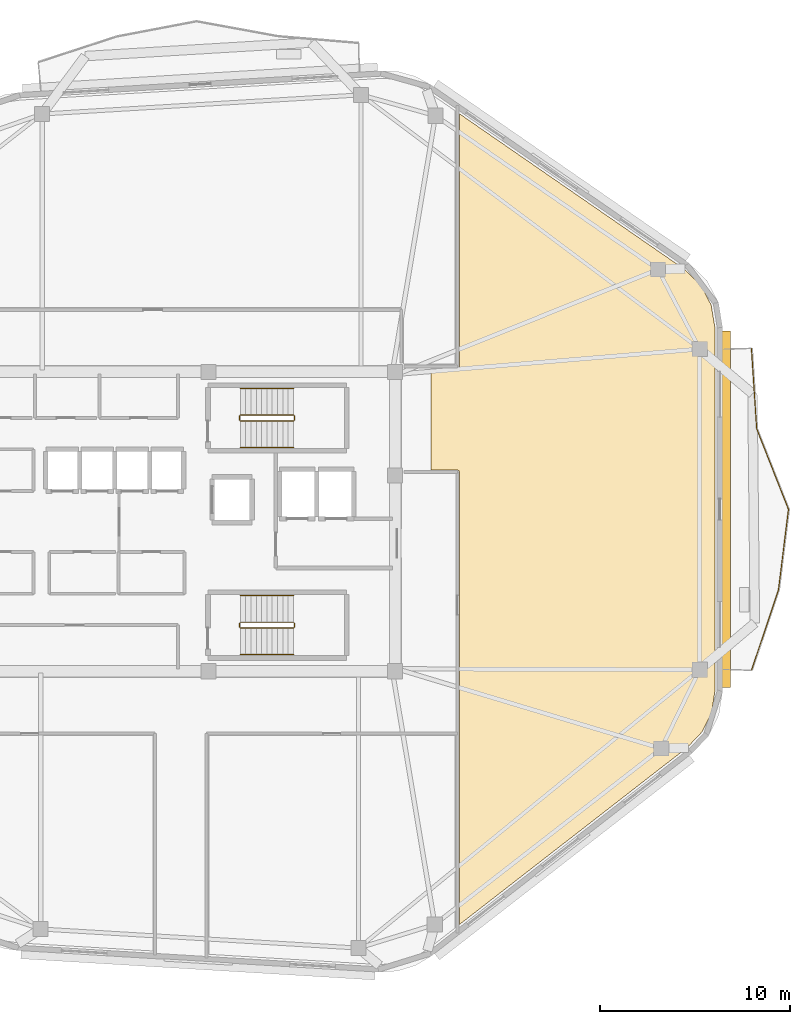
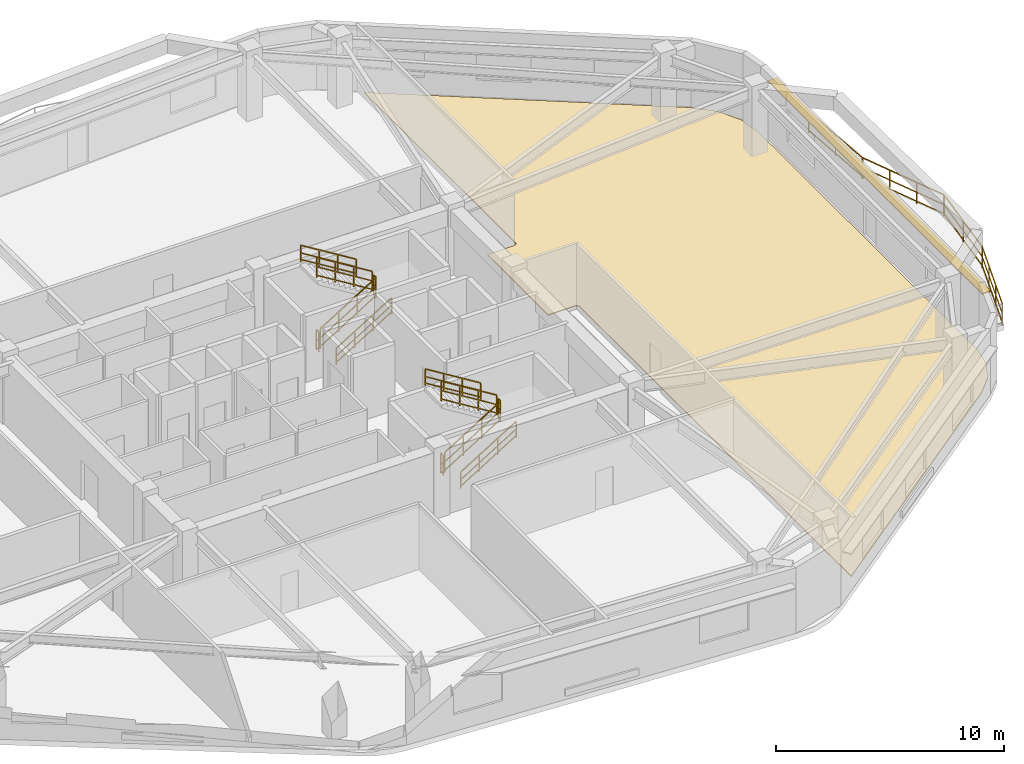
# One storey, part 8 of 9: 16 railings, 1 covering, 1 shading device.
"""IFC4 building model written with IfcOpenShell, lengths in metres."""

import ifcopenshell
import ifcopenshell.guid

model = None  # the IFC model being written
_history = None  # IfcOwnerHistory: only IFC2X3 demands one
_inside = {}  # id of a spatial element -> (the spatial element, [elements in it])
_under = {}  # id of a project, library or spatial element -> (it, [spatial elements below it])
_declared = {}  # id of a project -> (the project, [libraries it declares])
_typed = {}  # id of a type object -> (the type object, [elements of that type])
_made_of = {}  # id of a material, layer set ... -> (it, [elements and type objects made of it])


def new_model(schema):
    """Start an empty IFC model of exactly this schema.

    Asked for "IFC4X3", IfcOpenShell would pick the latest addendum, in which some entities
    have other attributes; the version numbers below select the first issue.
    IFC2X3 requires an IfcOwnerHistory on every rooted entity: one is made here for all.
    """
    global model, _history
    if schema == "IFC4X3":
        model = ifcopenshell.file(schema_version=(4, 3, 0, 0))
    else:
        model = ifcopenshell.file(schema=schema)
    _inside.clear()
    _under.clear()
    _declared.clear()
    _typed.clear()
    _made_of.clear()
    _history = None
    if model.schema == "IFC2X3":
        org = make("IfcOrganization", Name="unknown")
        user = make(
            "IfcPersonAndOrganization",
            ThePerson=make("IfcPerson", FamilyName="unknown"),
            TheOrganization=org,
        )
        app = make(
            "IfcApplication",
            ApplicationDeveloper=org,
            Version="unknown",
            ApplicationFullName="unknown",
            ApplicationIdentifier="unknown",
        )
        _history = make(
            "IfcOwnerHistory",
            OwningUser=user,
            OwningApplication=app,
            ChangeAction="ADDED",
            CreationDate=0,
        )
    return model


def make(cls, **values):
    """One entity of the class cls with the attributes given. An attribute that is None is left unset."""
    return model.create_entity(
        cls, **{name: value for name, value in values.items() if value is not None}
    )


def rooted(cls, **values):
    """An entity with a GlobalId (a new one), such as an element, a storey or a relation."""
    return make(cls, GlobalId=ifcopenshell.guid.new(), OwnerHistory=_history, **values)


def si_unit(unit_type, name, prefix=None):
    """IfcSIUnit, for example si_unit("LENGTHUNIT", "METRE", prefix="MILLI")."""
    return make("IfcSIUnit", UnitType=unit_type, Prefix=prefix, Name=name)


def assignment(units):
    """IfcUnitAssignment: the units of a project."""
    return None if units is None else make("IfcUnitAssignment", Units=units)


def point(xyz):
    """IfcCartesianPoint."""
    return None if xyz is None else make("IfcCartesianPoint", Coordinates=xyz)


def direction(xyz):
    """IfcDirection."""
    return None if xyz is None else make("IfcDirection", DirectionRatios=xyz)


def frame(location, z_axis=None, x_axis=None):
    """IfcAxis2Placement3D, a coordinate frame: its origin and axes. An axis left out is left unset."""
    return make(
        "IfcAxis2Placement3D",
        Location=point(location),
        Axis=direction(z_axis),
        RefDirection=direction(x_axis),
    )


def frame_2d(location, x_axis=None):
    """IfcAxis2Placement2D, a coordinate frame in the plane: its origin and x axis."""
    return make(
        "IfcAxis2Placement2D", Location=point(location), RefDirection=direction(x_axis)
    )


def origin():
    """The frame at (0, 0, 0) with its axes left unset."""
    return frame((0.0, 0.0, 0.0))


def origin_2d():
    """The frame at (0, 0) in the plane with its x axis left unset."""
    return frame_2d((0.0, 0.0))


def place(relative_to, where):
    """IfcLocalPlacement: puts the frame where relative to a parent placement (None: the world)."""
    return make(
        "IfcLocalPlacement", PlacementRelTo=relative_to, RelativePlacement=where
    )


def context(
    kind, dimensions, precision=None, world=None, true_north=None, identifier=None
):
    """IfcGeometricRepresentationContext, for example the 3D "Model" context."""
    return make(
        "IfcGeometricRepresentationContext",
        ContextIdentifier=identifier,
        ContextType=kind,
        CoordinateSpaceDimension=dimensions,
        Precision=precision,
        WorldCoordinateSystem=world,
        TrueNorth=true_north,
    )


def subcontext(parent, identifier, kind, view, scale=None):
    """IfcGeometricRepresentationSubContext, for example "Body" below "Model"."""
    return make(
        "IfcGeometricRepresentationSubContext",
        ContextIdentifier=identifier,
        ContextType=kind,
        ParentContext=parent,
        TargetScale=scale,
        TargetView=view,
    )


def project(units=None, contexts=None):
    """IfcProject with its units and contexts."""
    return rooted(
        "IfcProject",
        Name="project",
        RepresentationContexts=contexts,
        UnitsInContext=assignment(units),
    )


def spatial(cls, under=None, at=None, **own):
    """A site, building, storey or space (cls), placed at a placement, below another one or the project."""
    s = rooted(cls, ObjectPlacement=at, **own)
    if under is not None:
        _under.setdefault(under.id(), (under, []))[1].append(s)
    return s


def polyline(points):
    """IfcPolyline through the points."""
    return make("IfcPolyline", Points=[point(p) for p in points])


def profile(cls, at=None, kind="AREA", **sizes):
    """A parametric profile (cls). Its sizes go by their IFC names, for example OverallWidth=200.0."""
    return make(cls, ProfileType=kind, Position=at, **sizes)


def rectangle(**sizes):
    """IfcRectangleProfileDef."""
    return profile("IfcRectangleProfileDef", **sizes)


def outline(outer, holes=None, kind="AREA"):
    """IfcArbitraryClosedProfileDef: a profile drawn as a closed curve; with holes, ...WithVoids."""
    if holes is None:
        return make("IfcArbitraryClosedProfileDef", ProfileType=kind, OuterCurve=outer)
    return make(
        "IfcArbitraryProfileDefWithVoids",
        ProfileType=kind,
        OuterCurve=outer,
        InnerCurves=holes,
    )


def extrude(swept, where, along, depth):
    """IfcExtrudedAreaSolid: the profile swept, set in the frame where, extruded along a direction by depth."""
    return make(
        "IfcExtrudedAreaSolid",
        SweptArea=swept,
        Position=where,
        ExtrudedDirection=direction(along),
        Depth=depth,
    )


def shape(context_of_items, identifier, shape_type, items):
    """IfcShapeRepresentation: the items that make up one representation, for example the "Body"."""
    return make(
        "IfcShapeRepresentation",
        ContextOfItems=context_of_items,
        RepresentationIdentifier=identifier,
        RepresentationType=shape_type,
        Items=items,
    )


def material(Name=None, Category=None):
    """IfcMaterial."""
    return make("IfcMaterial", Name=Name, Category=Category)


def layer(
    of_material, thickness, ventilated=None, Name=None, Category=None, Priority=None
):
    """IfcMaterialLayer: one layer of a wall or slab, of a material (None: an air gap)."""
    return make(
        "IfcMaterialLayer",
        Material=of_material,
        LayerThickness=thickness,
        IsVentilated=ventilated,
        Name=Name,
        Category=Category,
        Priority=Priority,
    )


def layer_set(layers, Name=None):
    """IfcMaterialLayerSet."""
    return make("IfcMaterialLayerSet", MaterialLayers=layers, LayerSetName=Name)


def made_of(thing, what):
    """Note that an element or type object is made of a material, layer set ...; save() writes the relation."""
    if what is not None:
        _made_of.setdefault(what.id(), (what, []))[1].append(thing)
    return thing


def type_object(cls, material=None, **own):
    """A type object (cls), such as IfcWallType, which elements share."""
    return made_of(rooted(cls, **own), material)


def element(
    cls,
    number,
    at=None,
    inside=None,
    cuts=None,
    type_object=None,
    material=None,
    context=None,
    identifier="Body",
    shape_type=None,
    held_by="IfcProductDefinitionShape",
    body=None,
    shapes=None,
    **own,
):
    """One element of the class cls, such as IfcWall. Its Tag is "e" and its number.

    at: its placement. inside: the storey or other place that contains it. cuts: it is an
    opening in that element (IfcRelVoidsElement). A single representation is given by context,
    identifier, shape_type and body (its items); several are given by shapes. held_by: the class
    of the entity that holds the representations. save() writes the other relations.
    """
    e = rooted(cls, Tag="e%d" % number, ObjectPlacement=at, **own)
    if body is not None:
        shapes = [shape(context, identifier, shape_type, body)]
    if shapes is not None:
        e.Representation = make(held_by, Representations=shapes)
    if inside is not None:
        _inside.setdefault(inside.id(), (inside, []))[1].append(e)
    if cuts is not None:
        rooted(
            "IfcRelVoidsElement", RelatingBuildingElement=cuts, RelatedOpeningElement=e
        )
    if type_object is not None:
        _typed.setdefault(type_object.id(), (type_object, []))[1].append(e)
    return made_of(e, material)


def aggregate(whole, parts):
    """IfcRelAggregates: a whole, such as a stair, and the parts it consists of."""
    return rooted("IfcRelAggregates", RelatingObject=whole, RelatedObjects=parts)


def save(model, path):
    """Write the relations noted so far, then the file.

    IfcRelAggregates (storeys below a building ...), IfcRelContainedInSpatialStructure (elements
    in a storey), IfcRelDefinesByType, IfcRelAssociatesMaterial and IfcRelDeclares: one each for
    every whole, place, type object, material and project.
    """
    for whole, parts in _under.values():
        aggregate(whole, parts)
    for where, things in _inside.values():
        rooted(
            "IfcRelContainedInSpatialStructure",
            RelatedElements=things,
            RelatingStructure=where,
        )
    for kind, things in _typed.values():
        rooted("IfcRelDefinesByType", RelatedObjects=things, RelatingType=kind)
    for what, things in _made_of.values():
        rooted("IfcRelAssociatesMaterial", RelatedObjects=things, RelatingMaterial=what)
    for by, libraries in _declared.values():
        rooted("IfcRelDeclares", RelatingContext=by, RelatedDefinitions=libraries)
    model.write(path)


model = new_model("IFC4")

# Units and contexts
model_context = context("Model", 3, precision=1e-05, world=origin(), true_north=direction((0.0, 1.0)))
body_context = subcontext(model_context, "Body", "Model", "MODEL_VIEW")
ifc_project = project(units=[si_unit("LENGTHUNIT", "METRE"), si_unit("AREAUNIT", "SQUARE_METRE"), si_unit("VOLUMEUNIT", "CUBIC_METRE"), si_unit("PLANEANGLEUNIT", "RADIAN"), si_unit("MASSUNIT", "GRAM", prefix="KILO")], contexts=[model_context])

# Site, building, storey
site_placement = place(None, origin())
site = spatial("IfcSite", under=ifc_project, at=site_placement, CompositionType="ELEMENT")
building_placement = place(site_placement, origin())
building = spatial("IfcBuilding", under=site, at=building_placement, Name="Zulverin Broadcast Headquarters", CompositionType="ELEMENT")
storey_placement = place(building_placement, frame((0.0, 0.0, 247.800048828125)))
storey = spatial("IfcBuildingStorey", under=building, at=storey_placement, Name="L63", CompositionType="ELEMENT", Elevation=247.800048828125)

# Covering
ifc_material_1 = material(Name="Anti-static broadcast raised access flooring", Category="stone")
ifc_layer_1 = layer(ifc_material_1, 0.050048828125, Name="Anti-static broadcast raised access flooring", Category="stone")
ifc_layer_set_1 = layer_set([ifc_layer_1], Name="Anti-static broadcast raised access flooring")
covering_type = type_object("IfcCoveringType", Name="COV-FLR-RAISED", PredefinedType="FLOORING", material=ifc_layer_set_1)
covering_placement = place(storey_placement, origin())
element("IfcCovering", 1, at=covering_placement, inside=storey, type_object=covering_type, Name="L63 Broadcast Raised Access Flooring 02", PredefinedType="FLOORING", context=body_context, shape_type="SweptSolid", body=[
    extrude(outline(polyline([(51.60400390625, 33.260009765625), (51.592041015625, 33.251953125), (51.583984375, 33.248046875), (51.575927734375, 33.243896484375), (51.568115234375, 33.239990234375), (51.555908203125, 33.236083984375), (51.548095703125, 33.236083984375), (51.535888671875, 33.23193359375), (51.52392578125, 33.23193359375), (50.156005859375, 33.23193359375), (50.156005859375, 27.919921875), (51.52001953125, 27.919921875), (51.531982421875, 27.919921875), (51.5439453125, 27.916015625), (51.552001953125, 27.916015625), (51.56396484375, 27.912109375), (51.572021484375, 27.907958984375), (51.580078125, 27.904052734375), (51.587890625, 27.89990234375), (51.60009765625, 27.89208984375), (51.60791015625, 27.887939453125), (51.615966796875, 27.8798828125), (51.6240234375, 27.8720703125), (51.632080078125, 27.864013671875), (51.635986328125, 27.85595703125), (51.64794921875, 27.843994140625), (51.652099609375, 27.83203125), (51.659912109375, 27.820068359375), (51.6640625, 27.81201171875), (51.6640625, 27.800048828125), (51.66796875, 27.7919921875), (51.66796875, 27.783935546875), (51.672119140625, 27.77197265625), (51.672119140625, 27.760009765625), (51.672119140625, 4.008056640625), (63.64794921875, 13.31591796875), (64.43603515625, 14.14794921875), (64.927978515625, 15.152099609375), (65.10009765625, 16.2880859375), (65.10009765625, 35.39599609375), (64.904052734375, 36.592041015625), (64.35595703125, 37.64404296875), (63.47607421875, 38.488037109375), (51.66796875, 46.64794921875), (51.672119140625, 33.39208984375), (51.672119140625, 33.3798828125), (51.66796875, 33.367919921875), (51.66796875, 33.360107421875), (51.6640625, 33.35205078125), (51.6640625, 33.343994140625), (51.659912109375, 33.33203125), (51.656005859375, 33.323974609375), (51.652099609375, 33.31591796875), (51.64794921875, 33.30810546875), (51.639892578125, 33.2958984375), (51.635986328125, 33.2880859375), (51.6279296875, 33.280029296875), (51.6201171875, 33.27197265625), (51.612060546875, 33.263916015625), (51.60400390625, 33.260009765625)])), origin(), (0.0, 0.0, 1.0), 0.050048828125),
])

# Railings
ifc_material_2 = material(Name="Brushed stainless steel & laminated glass balustrade", Category="steel")
railing_type_1 = type_object("IfcRailingType", Name="RL-GUARD-1150", PredefinedType="GUARDRAIL", material=ifc_material_2)
railing_1_placement = place(storey_placement, frame((67.02490234375, 17.371826171875, 0.0)))
element("IfcRailing", 2, at=railing_1_placement, inside=storey, type_object=railing_type_1, Name="L63 Vertical-Forest Balcony Guardrail BAL_E Segment 02", PredefinedType="GUARDRAIL", context=body_context, shape_type="SweptSolid", body=[
    extrude(rectangle(XDim=0.048095703125, YDim=0.048095703125, at=origin_2d()), frame((0.0, 0.0, 1.1259765625), z_axis=(0.318204528211, 0.948022087415, 0.0), x_axis=(-0.948022087415, 0.318204528211, 0.0)), (0.0, 0.0, 1.0), 4.444580078125),
    extrude(rectangle(XDim=0.0419921875, YDim=0.0419921875, at=origin_2d()), frame((0.0, 0.0, 0.597900390625), z_axis=(0.318204528211, 0.948022087415, 0.0), x_axis=(-0.948022087415, 0.318204528211, 0.0)), (0.0, 0.0, 1.0), 4.444580078125),
    extrude(rectangle(XDim=0.0419921875, YDim=0.0419921875, at=origin_2d()), frame((0.0, 0.0, 0.1201171875), z_axis=(0.318204528211, 0.948022087415, 0.0), x_axis=(-0.948022087415, 0.318204528211, 0.0)), (0.0, 0.0, 1.0), 4.444580078125),
    extrude(rectangle(XDim=0.0419921875, YDim=0.0419921875, at=origin_2d()), origin(), (0.0, 0.0, 1.0), 1.101806640625),
    extrude(rectangle(XDim=0.0419921875, YDim=0.0419921875, at=origin_2d()), frame((0.471435546875, 1.404541015625, 0.0)), (0.0, 0.0, 1.0), 1.101806640625),
    extrude(rectangle(XDim=0.0419921875, YDim=0.0419921875, at=origin_2d()), frame((0.94287109375, 2.80908203125, 0.0)), (0.0, 0.0, 1.0), 1.101806640625),
    extrude(rectangle(XDim=0.0419921875, YDim=0.0419921875, at=origin_2d()), frame((1.414306640625, 4.213623046875, 0.0)), (0.0, 0.0, 1.0), 1.101806640625),
])
railing_2_placement = place(storey_placement, frame((68.44580078125, 21.614501953125, 0.0)))
element("IfcRailing", 3, at=railing_2_placement, inside=storey, type_object=railing_type_1, Name="L63 Vertical-Forest Balcony Guardrail BAL_E Segment 03", PredefinedType="GUARDRAIL", context=body_context, shape_type="SweptSolid", body=[
    extrude(rectangle(XDim=0.048095703125, YDim=0.048095703125, at=origin_2d()), frame((0.0, 0.0, 1.1259765625), z_axis=(0.123086092071, 0.992395996535, 0.0), x_axis=(-0.992395996535, 0.123086092071, 0.0)), (0.0, 0.0, 1.0), 4.24462890625),
    extrude(rectangle(XDim=0.0419921875, YDim=0.0419921875, at=origin_2d()), frame((0.0, 0.0, 0.597900390625), z_axis=(0.123086092071, 0.992395996535, 0.0), x_axis=(-0.992395996535, 0.123086092071, 0.0)), (0.0, 0.0, 1.0), 4.24462890625),
    extrude(rectangle(XDim=0.0419921875, YDim=0.0419921875, at=origin_2d()), frame((0.0, 0.0, 0.1201171875), z_axis=(0.123086092071, 0.992395996535, 0.0), x_axis=(-0.992395996535, 0.123086092071, 0.0)), (0.0, 0.0, 1.0), 4.24462890625),
    extrude(rectangle(XDim=0.0419921875, YDim=0.0419921875, at=origin_2d()), origin(), (0.0, 0.0, 1.0), 1.101806640625),
    extrude(rectangle(XDim=0.0419921875, YDim=0.0419921875, at=origin_2d()), frame((0.26123046875, 2.106201171875, 0.0)), (0.0, 0.0, 1.0), 1.101806640625),
    extrude(rectangle(XDim=0.0419921875, YDim=0.0419921875, at=origin_2d()), frame((0.5224609375, 4.21240234375, 0.0)), (0.0, 0.0, 1.0), 1.101806640625),
])
railing_3_placement = place(storey_placement, frame((68.964599609375, 25.855712890625, 0.0)))
element("IfcRailing", 4, at=railing_3_placement, inside=storey, type_object=railing_type_1, Name="L63 Vertical-Forest Balcony Guardrail BAL_E Segment 04", PredefinedType="GUARDRAIL", context=body_context, shape_type="SweptSolid", body=[
    extrude(rectangle(XDim=0.048095703125, YDim=0.048095703125, at=origin_2d()), frame((0.0, 0.0, 1.1259765625), z_axis=(-0.36683272189, 0.930286920337, 0.0), x_axis=(-0.930286920337, -0.36683272189, 0.0)), (0.0, 0.0, 1.0), 4.529541015625),
    extrude(rectangle(XDim=0.0419921875, YDim=0.0419921875, at=origin_2d()), frame((0.0, 0.0, 0.597900390625), z_axis=(-0.36683272189, 0.930286920337, 0.0), x_axis=(-0.930286920337, -0.36683272189, 0.0)), (0.0, 0.0, 1.0), 4.529541015625),
    extrude(rectangle(XDim=0.0419921875, YDim=0.0419921875, at=origin_2d()), frame((0.0, 0.0, 0.1201171875), z_axis=(-0.36683272189, 0.930286920337, 0.0), x_axis=(-0.930286920337, -0.36683272189, 0.0)), (0.0, 0.0, 1.0), 4.529541015625),
    extrude(rectangle(XDim=0.0419921875, YDim=0.0419921875, at=origin_2d()), origin(), (0.0, 0.0, 1.0), 1.101806640625),
    extrude(rectangle(XDim=0.0419921875, YDim=0.0419921875, at=origin_2d()), frame((-0.553955078125, 1.404541015625, 0.0)), (0.0, 0.0, 1.0), 1.101806640625),
    extrude(rectangle(XDim=0.0419921875, YDim=0.0419921875, at=origin_2d()), frame((-1.107666015625, 2.809326171875, 0.0)), (0.0, 0.0, 1.0), 1.101806640625),
    extrude(rectangle(XDim=0.0419921875, YDim=0.0419921875, at=origin_2d()), frame((-1.66162109375, 4.2138671875, 0.0)), (0.0, 0.0, 1.0), 1.101806640625),
])
railing_4_placement = place(storey_placement, frame((67.29638671875, 30.0986328125, 0.0)))
element("IfcRailing", 5, at=railing_4_placement, inside=storey, type_object=railing_type_1, Name="L63 Vertical-Forest Balcony Guardrail BAL_E Segment 05", PredefinedType="GUARDRAIL", context=body_context, shape_type="SweptSolid", body=[
    extrude(rectangle(XDim=0.048095703125, YDim=0.048095703125, at=origin_2d()), frame((0.0, 0.0, 1.1259765625), z_axis=(-0.065240645877, 0.997869559675, 0.0), x_axis=(-0.997869559675, -0.065240645877, 0.0)), (0.0, 0.0, 1.0), 4.22119140625),
    extrude(rectangle(XDim=0.0419921875, YDim=0.0419921875, at=origin_2d()), frame((0.0, 0.0, 0.597900390625), z_axis=(-0.065240645877, 0.997869559675, 0.0), x_axis=(-0.997869559675, -0.065240645877, 0.0)), (0.0, 0.0, 1.0), 4.22119140625),
    extrude(rectangle(XDim=0.0419921875, YDim=0.0419921875, at=origin_2d()), frame((0.0, 0.0, 0.1201171875), z_axis=(-0.065240645877, 0.997869559675, 0.0), x_axis=(-0.997869559675, -0.065240645877, 0.0)), (0.0, 0.0, 1.0), 4.22119140625),
    extrude(rectangle(XDim=0.0419921875, YDim=0.0419921875, at=origin_2d()), origin(), (0.0, 0.0, 1.0), 1.101806640625),
    extrude(rectangle(XDim=0.0419921875, YDim=0.0419921875, at=origin_2d()), frame((-0.1376953125, 2.10595703125, 0.0)), (0.0, 0.0, 1.0), 1.101806640625),
    extrude(rectangle(XDim=0.0419921875, YDim=0.0419921875, at=origin_2d()), frame((-0.275390625, 4.212158203125, 0.0)), (0.0, 0.0, 1.0), 1.101806640625),
])
ifc_material_3 = material(Name="Painted galvanized steel tubular guardrail S355JR", Category="steel")
railing_type_2 = type_object("IfcRailingType", Name="RL-ST-GUARD", PredefinedType="GUARDRAIL", material=ifc_material_3)
railing_5_placement = place(storey_placement, frame((40.1298828125, 30.5, 0.172607421875)))
element("IfcRailing", 6, at=railing_5_placement, inside=storey, type_object=railing_type_2, Name="L63 ST-1 stair guard 1", PredefinedType="GUARDRAIL", context=body_context, shape_type="SweptSolid", body=[
    extrude(rectangle(XDim=0.048095703125, YDim=0.048095703125, at=origin_2d()), frame((0.0, 0.0, 1.076171875), z_axis=(0.851089632645, 0.0, 0.525020415988), x_axis=(0.0, 1.0, 0.0)), (0.0, 0.0, 1.0), 3.2900390625),
    extrude(rectangle(XDim=0.0419921875, YDim=0.0419921875, at=origin_2d()), frame((0.0, 0.0, 0.572021484375), z_axis=(0.851089632645, 0.0, 0.525020415988), x_axis=(0.0, 1.0, 0.0)), (0.0, 0.0, 1.0), 3.2900390625),
    extrude(rectangle(XDim=0.0419921875, YDim=0.0419921875, at=origin_2d()), frame((0.0, 0.0, 0.1201171875), z_axis=(0.851089632645, 0.0, 0.525020415988), x_axis=(0.0, 1.0, 0.0)), (0.0, 0.0, 1.0), 3.2900390625),
    extrude(rectangle(XDim=0.0419921875, YDim=0.0419921875, at=origin_2d()), origin(), (0.0, 0.0, 1.0), 1.052001953125),
    extrude(rectangle(XDim=0.0419921875, YDim=0.0419921875, at=origin_2d()), frame((0.933349609375, 0.0, 0.57568359375)), (0.0, 0.0, 1.0), 1.052001953125),
    extrude(rectangle(XDim=0.0419921875, YDim=0.0419921875, at=origin_2d()), frame((1.86669921875, 0.0, 1.151611328125)), (0.0, 0.0, 1.0), 1.052001953125),
    extrude(rectangle(XDim=0.0419921875, YDim=0.0419921875, at=origin_2d()), frame((2.800048828125, 0.0, 1.727294921875)), (0.0, 0.0, 1.0), 1.052001953125),
])
railing_6_placement = place(storey_placement, frame((42.97998046875, 30.550048828125, 1.89990234375)))
element("IfcRailing", 7, at=railing_6_placement, inside=storey, type_object=railing_type_2, Name="L63 ST-1 stair guard 2", PredefinedType="GUARDRAIL", context=body_context, shape_type="SweptSolid", body=[
    extrude(rectangle(XDim=0.048095703125, YDim=0.048095703125, at=origin_2d()), frame((0.0, 0.0, 1.076171875), z_axis=(0.0, 1.0, 0.0), x_axis=(-1.0, 0.0, 0.0)), (0.0, 0.0, 1.0), 0.199951171875),
    extrude(rectangle(XDim=0.0419921875, YDim=0.0419921875, at=origin_2d()), frame((0.0, 0.0, 0.572021484375), z_axis=(0.0, 1.0, 0.0), x_axis=(-1.0, 0.0, 0.0)), (0.0, 0.0, 1.0), 0.199951171875),
    extrude(rectangle(XDim=0.0419921875, YDim=0.0419921875, at=origin_2d()), frame((0.0, 0.0, 0.1201171875), z_axis=(0.0, 1.0, 0.0), x_axis=(-1.0, 0.0, 0.0)), (0.0, 0.0, 1.0), 0.199951171875),
    extrude(rectangle(XDim=0.0419921875, YDim=0.0419921875, at=origin_2d()), origin(), (0.0, 0.0, 1.0), 1.052001953125),
    extrude(rectangle(XDim=0.0419921875, YDim=0.0419921875, at=origin_2d()), frame((0.0, 0.199951171875, 0.0)), (0.0, 0.0, 1.0), 1.052001953125),
])
railing_7_placement = place(storey_placement, frame((42.929931640625, 30.800048828125, 2.07275390625)))
element("IfcRailing", 8, at=railing_7_placement, inside=storey, type_object=railing_type_2, Name="L63 ST-1 stair guard 3", PredefinedType="GUARDRAIL", context=body_context, shape_type="SweptSolid", body=[
    extrude(rectangle(XDim=0.048095703125, YDim=0.048095703125, at=origin_2d()), frame((0.0, 0.0, 1.076171875), z_axis=(-0.851089632645, 0.0, 0.525020415988), x_axis=(0.0, -1.0, 0.0)), (0.0, 0.0, 1.0), 3.2900390625),
    extrude(rectangle(XDim=0.0419921875, YDim=0.0419921875, at=origin_2d()), frame((0.0, 0.0, 0.572021484375), z_axis=(-0.851089632645, 0.0, 0.525020415988), x_axis=(0.0, -1.0, 0.0)), (0.0, 0.0, 1.0), 3.2900390625),
    extrude(rectangle(XDim=0.0419921875, YDim=0.0419921875, at=origin_2d()), frame((0.0, 0.0, 0.1201171875), z_axis=(-0.851089632645, 0.0, 0.525020415988), x_axis=(0.0, -1.0, 0.0)), (0.0, 0.0, 1.0), 3.2900390625),
    extrude(rectangle(XDim=0.0419921875, YDim=0.0419921875, at=origin_2d()), origin(), (0.0, 0.0, 1.0), 1.052001953125),
    extrude(rectangle(XDim=0.0419921875, YDim=0.0419921875, at=origin_2d()), frame((-0.933349609375, 0.0, 0.57568359375)), (0.0, 0.0, 1.0), 1.052001953125),
    extrude(rectangle(XDim=0.0419921875, YDim=0.0419921875, at=origin_2d()), frame((-1.86669921875, 0.0, 1.151611328125)), (0.0, 0.0, 1.0), 1.052001953125),
    extrude(rectangle(XDim=0.0419921875, YDim=0.0419921875, at=origin_2d()), frame((-2.800048828125, 0.0, 1.727294921875)), (0.0, 0.0, 1.0), 1.052001953125),
])
railing_8_placement = place(storey_placement, frame((40.080078125, 30.550048828125, 0.0)))
element("IfcRailing", 9, at=railing_8_placement, inside=storey, type_object=railing_type_2, Name="L63 ST-1 stair guard 4", PredefinedType="GUARDRAIL", context=body_context, shape_type="SweptSolid", body=[
    extrude(rectangle(XDim=0.048095703125, YDim=0.048095703125, at=origin_2d()), frame((0.0, 0.0, 1.076171875), z_axis=(0.0, 1.0, 0.0), x_axis=(-1.0, 0.0, 0.0)), (0.0, 0.0, 1.0), 0.199951171875),
    extrude(rectangle(XDim=0.0419921875, YDim=0.0419921875, at=origin_2d()), frame((0.0, 0.0, 0.572021484375), z_axis=(0.0, 1.0, 0.0), x_axis=(-1.0, 0.0, 0.0)), (0.0, 0.0, 1.0), 0.199951171875),
    extrude(rectangle(XDim=0.0419921875, YDim=0.0419921875, at=origin_2d()), frame((0.0, 0.0, 0.1201171875), z_axis=(0.0, 1.0, 0.0), x_axis=(-1.0, 0.0, 0.0)), (0.0, 0.0, 1.0), 0.199951171875),
    extrude(rectangle(XDim=0.0419921875, YDim=0.0419921875, at=origin_2d()), origin(), (0.0, 0.0, 1.0), 1.052001953125),
    extrude(rectangle(XDim=0.0419921875, YDim=0.0419921875, at=origin_2d()), frame((0.0, 0.199951171875, 0.0)), (0.0, 0.0, 1.0), 1.052001953125),
])
railing_9_placement = place(storey_placement, frame((40.1298828125, 19.60009765625, 0.172607421875)))
element("IfcRailing", 10, at=railing_9_placement, inside=storey, type_object=railing_type_2, Name="L63 ST-2 stair guard 1", PredefinedType="GUARDRAIL", context=body_context, shape_type="SweptSolid", body=[
    extrude(rectangle(XDim=0.048095703125, YDim=0.048095703125, at=origin_2d()), frame((0.0, 0.0, 1.076171875), z_axis=(0.851089632645, 0.0, 0.525020415988), x_axis=(0.0, 1.0, 0.0)), (0.0, 0.0, 1.0), 3.2900390625),
    extrude(rectangle(XDim=0.0419921875, YDim=0.0419921875, at=origin_2d()), frame((0.0, 0.0, 0.572021484375), z_axis=(0.851089632645, 0.0, 0.525020415988), x_axis=(0.0, 1.0, 0.0)), (0.0, 0.0, 1.0), 3.2900390625),
    extrude(rectangle(XDim=0.0419921875, YDim=0.0419921875, at=origin_2d()), frame((0.0, 0.0, 0.1201171875), z_axis=(0.851089632645, 0.0, 0.525020415988), x_axis=(0.0, 1.0, 0.0)), (0.0, 0.0, 1.0), 3.2900390625),
    extrude(rectangle(XDim=0.0419921875, YDim=0.0419921875, at=origin_2d()), origin(), (0.0, 0.0, 1.0), 1.052001953125),
    extrude(rectangle(XDim=0.0419921875, YDim=0.0419921875, at=origin_2d()), frame((0.933349609375, 0.0, 0.57568359375)), (0.0, 0.0, 1.0), 1.052001953125),
    extrude(rectangle(XDim=0.0419921875, YDim=0.0419921875, at=origin_2d()), frame((1.86669921875, 0.0, 1.151611328125)), (0.0, 0.0, 1.0), 1.052001953125),
    extrude(rectangle(XDim=0.0419921875, YDim=0.0419921875, at=origin_2d()), frame((2.800048828125, 0.0, 1.727294921875)), (0.0, 0.0, 1.0), 1.052001953125),
])
railing_10_placement = place(storey_placement, frame((42.97998046875, 19.64990234375, 1.89990234375)))
element("IfcRailing", 11, at=railing_10_placement, inside=storey, type_object=railing_type_2, Name="L63 ST-2 stair guard 2", PredefinedType="GUARDRAIL", context=body_context, shape_type="SweptSolid", body=[
    extrude(rectangle(XDim=0.048095703125, YDim=0.048095703125, at=origin_2d()), frame((0.0, 0.0, 1.076171875), z_axis=(0.0, 1.0, 0.0), x_axis=(-1.0, 0.0, 0.0)), (0.0, 0.0, 1.0), 0.2001953125),
    extrude(rectangle(XDim=0.0419921875, YDim=0.0419921875, at=origin_2d()), frame((0.0, 0.0, 0.572021484375), z_axis=(0.0, 1.0, 0.0), x_axis=(-1.0, 0.0, 0.0)), (0.0, 0.0, 1.0), 0.2001953125),
    extrude(rectangle(XDim=0.0419921875, YDim=0.0419921875, at=origin_2d()), frame((0.0, 0.0, 0.1201171875), z_axis=(0.0, 1.0, 0.0), x_axis=(-1.0, 0.0, 0.0)), (0.0, 0.0, 1.0), 0.2001953125),
    extrude(rectangle(XDim=0.0419921875, YDim=0.0419921875, at=origin_2d()), origin(), (0.0, 0.0, 1.0), 1.052001953125),
    extrude(rectangle(XDim=0.0419921875, YDim=0.0419921875, at=origin_2d()), frame((0.0, 0.2001953125, 0.0)), (0.0, 0.0, 1.0), 1.052001953125),
])
railing_11_placement = place(storey_placement, frame((42.929931640625, 19.89990234375, 2.07275390625)))
element("IfcRailing", 12, at=railing_11_placement, inside=storey, type_object=railing_type_2, Name="L63 ST-2 stair guard 3", PredefinedType="GUARDRAIL", context=body_context, shape_type="SweptSolid", body=[
    extrude(rectangle(XDim=0.048095703125, YDim=0.048095703125, at=origin_2d()), frame((0.0, 0.0, 1.076171875), z_axis=(-0.851089632645, 0.0, 0.525020415988), x_axis=(0.0, -1.0, 0.0)), (0.0, 0.0, 1.0), 3.2900390625),
    extrude(rectangle(XDim=0.0419921875, YDim=0.0419921875, at=origin_2d()), frame((0.0, 0.0, 0.572021484375), z_axis=(-0.851089632645, 0.0, 0.525020415988), x_axis=(0.0, -1.0, 0.0)), (0.0, 0.0, 1.0), 3.2900390625),
    extrude(rectangle(XDim=0.0419921875, YDim=0.0419921875, at=origin_2d()), frame((0.0, 0.0, 0.1201171875), z_axis=(-0.851089632645, 0.0, 0.525020415988), x_axis=(0.0, -1.0, 0.0)), (0.0, 0.0, 1.0), 3.2900390625),
    extrude(rectangle(XDim=0.0419921875, YDim=0.0419921875, at=origin_2d()), origin(), (0.0, 0.0, 1.0), 1.052001953125),
    extrude(rectangle(XDim=0.0419921875, YDim=0.0419921875, at=origin_2d()), frame((-0.933349609375, 0.0, 0.57568359375)), (0.0, 0.0, 1.0), 1.052001953125),
    extrude(rectangle(XDim=0.0419921875, YDim=0.0419921875, at=origin_2d()), frame((-1.86669921875, 0.0, 1.151611328125)), (0.0, 0.0, 1.0), 1.052001953125),
    extrude(rectangle(XDim=0.0419921875, YDim=0.0419921875, at=origin_2d()), frame((-2.800048828125, 0.0, 1.727294921875)), (0.0, 0.0, 1.0), 1.052001953125),
])
railing_12_placement = place(storey_placement, frame((40.080078125, 19.64990234375, 0.0)))
element("IfcRailing", 13, at=railing_12_placement, inside=storey, type_object=railing_type_2, Name="L63 ST-2 stair guard 4", PredefinedType="GUARDRAIL", context=body_context, shape_type="SweptSolid", body=[
    extrude(rectangle(XDim=0.048095703125, YDim=0.048095703125, at=origin_2d()), frame((0.0, 0.0, 1.076171875), z_axis=(0.0, 1.0, 0.0), x_axis=(-1.0, 0.0, 0.0)), (0.0, 0.0, 1.0), 0.2001953125),
    extrude(rectangle(XDim=0.0419921875, YDim=0.0419921875, at=origin_2d()), frame((0.0, 0.0, 0.572021484375), z_axis=(0.0, 1.0, 0.0), x_axis=(-1.0, 0.0, 0.0)), (0.0, 0.0, 1.0), 0.2001953125),
    extrude(rectangle(XDim=0.0419921875, YDim=0.0419921875, at=origin_2d()), frame((0.0, 0.0, 0.1201171875), z_axis=(0.0, 1.0, 0.0), x_axis=(-1.0, 0.0, 0.0)), (0.0, 0.0, 1.0), 0.2001953125),
    extrude(rectangle(XDim=0.0419921875, YDim=0.0419921875, at=origin_2d()), origin(), (0.0, 0.0, 1.0), 1.052001953125),
    extrude(rectangle(XDim=0.0419921875, YDim=0.0419921875, at=origin_2d()), frame((0.0, 0.2001953125, 0.0)), (0.0, 0.0, 1.0), 1.052001953125),
])
ifc_material_4 = material(Name="Brushed stainless steel 48 mm handrail", Category="steel")
railing_type_3 = type_object("IfcRailingType", Name="RL-ST-HAND", PredefinedType="HANDRAIL", material=ifc_material_4)
railing_13_placement = place(storey_placement, frame((40.1298828125, 29.10009765625, 0.172607421875)))
element("IfcRailing", 14, at=railing_13_placement, inside=storey, type_object=railing_type_3, Name="L63 ST-1 stair handrail 1", PredefinedType="HANDRAIL", context=body_context, shape_type="SweptSolid", body=[
    extrude(rectangle(XDim=0.048095703125, YDim=0.048095703125, at=origin_2d()), frame((0.0, 0.0, 0.8759765625), z_axis=(0.851089632645, 0.0, 0.525020415988), x_axis=(0.0, 1.0, 0.0)), (0.0, 0.0, 1.0), 3.2900390625),
    extrude(rectangle(XDim=0.0419921875, YDim=0.0419921875, at=origin_2d()), frame((0.0, 0.0, 0.468017578125), z_axis=(0.851089632645, 0.0, 0.525020415988), x_axis=(0.0, 1.0, 0.0)), (0.0, 0.0, 1.0), 3.2900390625),
    extrude(rectangle(XDim=0.0419921875, YDim=0.0419921875, at=origin_2d()), frame((0.0, 0.0, 0.1201171875), z_axis=(0.851089632645, 0.0, 0.525020415988), x_axis=(0.0, 1.0, 0.0)), (0.0, 0.0, 1.0), 3.2900390625),
    extrude(rectangle(XDim=0.0419921875, YDim=0.0419921875, at=origin_2d()), origin(), (0.0, 0.0, 1.0), 0.851806640625),
    extrude(rectangle(XDim=0.0419921875, YDim=0.0419921875, at=origin_2d()), frame((0.933349609375, 0.0, 0.57568359375)), (0.0, 0.0, 1.0), 0.851806640625),
    extrude(rectangle(XDim=0.0419921875, YDim=0.0419921875, at=origin_2d()), frame((1.86669921875, 0.0, 1.151611328125)), (0.0, 0.0, 1.0), 0.851806640625),
    extrude(rectangle(XDim=0.0419921875, YDim=0.0419921875, at=origin_2d()), frame((2.800048828125, 0.0, 1.727294921875)), (0.0, 0.0, 1.0), 0.851806640625),
])
railing_14_placement = place(storey_placement, frame((42.929931640625, 32.199951171875, 2.07275390625)))
element("IfcRailing", 15, at=railing_14_placement, inside=storey, type_object=railing_type_3, Name="L63 ST-1 stair handrail 2", PredefinedType="HANDRAIL", context=body_context, shape_type="SweptSolid", body=[
    extrude(rectangle(XDim=0.048095703125, YDim=0.048095703125, at=origin_2d()), frame((0.0, 0.0, 0.8759765625), z_axis=(-0.851089632645, 0.0, 0.525020415988), x_axis=(0.0, -1.0, 0.0)), (0.0, 0.0, 1.0), 3.2900390625),
    extrude(rectangle(XDim=0.0419921875, YDim=0.0419921875, at=origin_2d()), frame((0.0, 0.0, 0.468017578125), z_axis=(-0.851089632645, 0.0, 0.525020415988), x_axis=(0.0, -1.0, 0.0)), (0.0, 0.0, 1.0), 3.2900390625),
    extrude(rectangle(XDim=0.0419921875, YDim=0.0419921875, at=origin_2d()), frame((0.0, 0.0, 0.1201171875), z_axis=(-0.851089632645, 0.0, 0.525020415988), x_axis=(0.0, -1.0, 0.0)), (0.0, 0.0, 1.0), 3.2900390625),
    extrude(rectangle(XDim=0.0419921875, YDim=0.0419921875, at=origin_2d()), origin(), (0.0, 0.0, 1.0), 0.851806640625),
    extrude(rectangle(XDim=0.0419921875, YDim=0.0419921875, at=origin_2d()), frame((-0.933349609375, 0.0, 0.57568359375)), (0.0, 0.0, 1.0), 0.851806640625),
    extrude(rectangle(XDim=0.0419921875, YDim=0.0419921875, at=origin_2d()), frame((-1.86669921875, 0.0, 1.151611328125)), (0.0, 0.0, 1.0), 0.851806640625),
    extrude(rectangle(XDim=0.0419921875, YDim=0.0419921875, at=origin_2d()), frame((-2.800048828125, 0.0, 1.727294921875)), (0.0, 0.0, 1.0), 0.851806640625),
])
railing_15_placement = place(storey_placement, frame((40.1298828125, 18.199951171875, 0.172607421875)))
element("IfcRailing", 16, at=railing_15_placement, inside=storey, type_object=railing_type_3, Name="L63 ST-2 stair handrail 1", PredefinedType="HANDRAIL", context=body_context, shape_type="SweptSolid", body=[
    extrude(rectangle(XDim=0.048095703125, YDim=0.048095703125, at=origin_2d()), frame((0.0, 0.0, 0.8759765625), z_axis=(0.851089632645, 0.0, 0.525020415988), x_axis=(0.0, 1.0, 0.0)), (0.0, 0.0, 1.0), 3.2900390625),
    extrude(rectangle(XDim=0.0419921875, YDim=0.0419921875, at=origin_2d()), frame((0.0, 0.0, 0.468017578125), z_axis=(0.851089632645, 0.0, 0.525020415988), x_axis=(0.0, 1.0, 0.0)), (0.0, 0.0, 1.0), 3.2900390625),
    extrude(rectangle(XDim=0.0419921875, YDim=0.0419921875, at=origin_2d()), frame((0.0, 0.0, 0.1201171875), z_axis=(0.851089632645, 0.0, 0.525020415988), x_axis=(0.0, 1.0, 0.0)), (0.0, 0.0, 1.0), 3.2900390625),
    extrude(rectangle(XDim=0.0419921875, YDim=0.0419921875, at=origin_2d()), origin(), (0.0, 0.0, 1.0), 0.851806640625),
    extrude(rectangle(XDim=0.0419921875, YDim=0.0419921875, at=origin_2d()), frame((0.933349609375, 0.0, 0.57568359375)), (0.0, 0.0, 1.0), 0.851806640625),
    extrude(rectangle(XDim=0.0419921875, YDim=0.0419921875, at=origin_2d()), frame((1.86669921875, 0.0, 1.151611328125)), (0.0, 0.0, 1.0), 0.851806640625),
    extrude(rectangle(XDim=0.0419921875, YDim=0.0419921875, at=origin_2d()), frame((2.800048828125, 0.0, 1.727294921875)), (0.0, 0.0, 1.0), 0.851806640625),
])
railing_16_placement = place(storey_placement, frame((42.929931640625, 21.300048828125, 2.07275390625)))
element("IfcRailing", 17, at=railing_16_placement, inside=storey, type_object=railing_type_3, Name="L63 ST-2 stair handrail 2", PredefinedType="HANDRAIL", context=body_context, shape_type="SweptSolid", body=[
    extrude(rectangle(XDim=0.048095703125, YDim=0.048095703125, at=origin_2d()), frame((0.0, 0.0, 0.8759765625), z_axis=(-0.851089632645, 0.0, 0.525020415988), x_axis=(0.0, -1.0, 0.0)), (0.0, 0.0, 1.0), 3.2900390625),
    extrude(rectangle(XDim=0.0419921875, YDim=0.0419921875, at=origin_2d()), frame((0.0, 0.0, 0.468017578125), z_axis=(-0.851089632645, 0.0, 0.525020415988), x_axis=(0.0, -1.0, 0.0)), (0.0, 0.0, 1.0), 3.2900390625),
    extrude(rectangle(XDim=0.0419921875, YDim=0.0419921875, at=origin_2d()), frame((0.0, 0.0, 0.1201171875), z_axis=(-0.851089632645, 0.0, 0.525020415988), x_axis=(0.0, -1.0, 0.0)), (0.0, 0.0, 1.0), 3.2900390625),
    extrude(rectangle(XDim=0.0419921875, YDim=0.0419921875, at=origin_2d()), origin(), (0.0, 0.0, 1.0), 0.851806640625),
    extrude(rectangle(XDim=0.0419921875, YDim=0.0419921875, at=origin_2d()), frame((-0.933349609375, 0.0, 0.57568359375)), (0.0, 0.0, 1.0), 0.851806640625),
    extrude(rectangle(XDim=0.0419921875, YDim=0.0419921875, at=origin_2d()), frame((-1.86669921875, 0.0, 1.151611328125)), (0.0, 0.0, 1.0), 0.851806640625),
    extrude(rectangle(XDim=0.0419921875, YDim=0.0419921875, at=origin_2d()), frame((-2.800048828125, 0.0, 1.727294921875)), (0.0, 0.0, 1.0), 0.851806640625),
])

# Shading device
ifc_material_5 = material(Name="Anodized pale-metal aluminium sunshade", Category="aluminium")
ifc_layer_2 = layer(ifc_material_5, 0.06005859375, Name="Anodized pale-metal aluminium sunshade", Category="aluminium")
ifc_layer_set_2 = layer_set([ifc_layer_2], Name="Anodized pale-metal aluminium sunshade")
shading_device_type = type_object("IfcShadingDeviceType", Name="SS-01_PALE_METAL_ALUMINIUM_SUNSHADE", PredefinedType="USERDEFINED", material=ifc_layer_set_2)
shading_device_placement = place(storey_placement, frame((65.699951171875, 25.841796875, 2.7099609375), z_axis=(0.0, 0.0, 1.0), x_axis=(0.0, 1.0, 0.0)))
element("IfcShadingDevice", 18, at=shading_device_placement, inside=storey, type_object=shading_device_type, Name="L63 Horizontal Pale-Metal Sunshade Band 3", ObjectType="SUNSHADE", PredefinedType="USERDEFINED", context=body_context, shape_type="SweptSolid", body=[
    extrude(rectangle(XDim=18.76806640625, YDim=0.449951171875, at=origin_2d()), origin(), (0.0, 0.0, 1.0), 0.06005859375),
])

save(model, "model.ifc")
